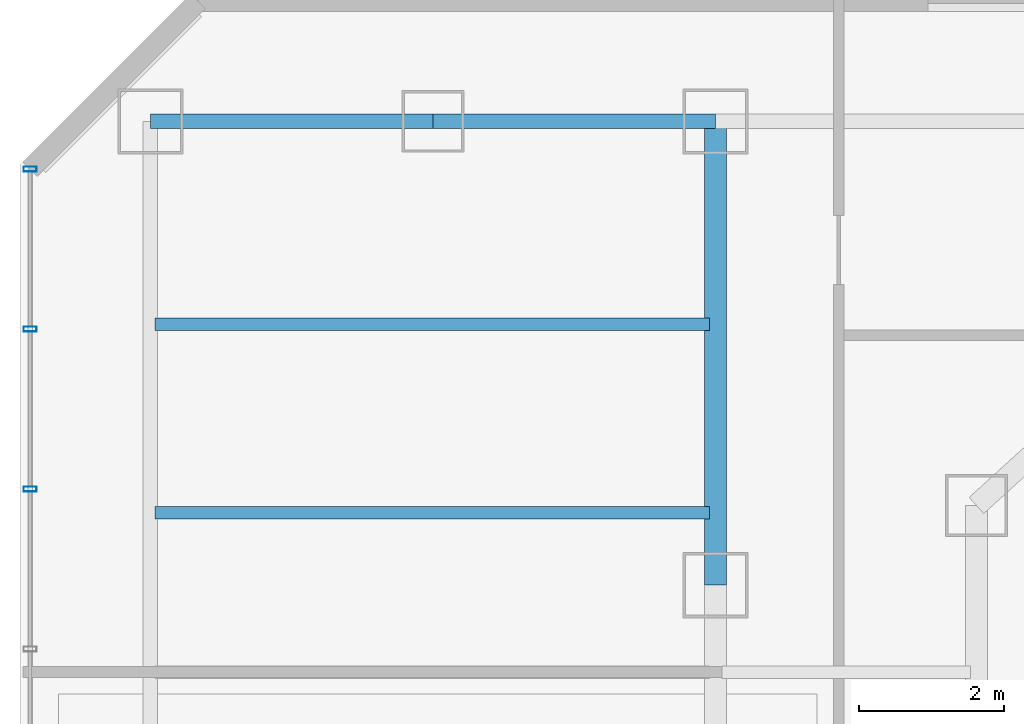
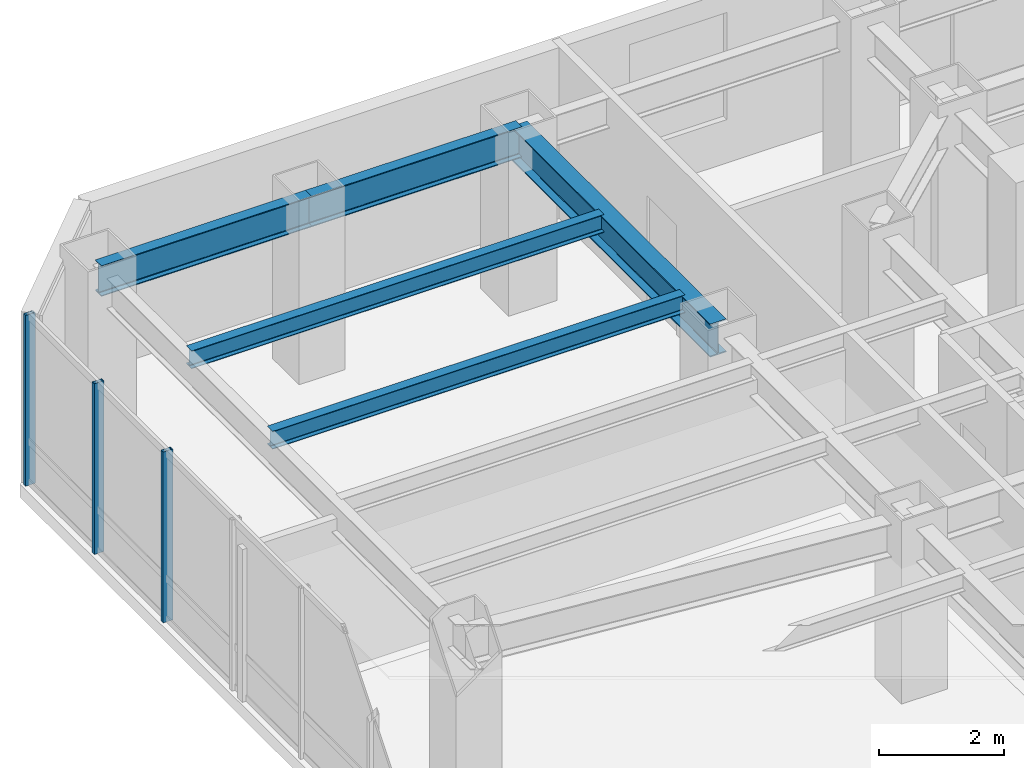
# One storey, part 17 of 29: 5 beams, 3 members, 1 element without a shape of its own.
"""IFC4 building model written with IfcOpenShell, lengths in metres."""

from ifc_helpers import new_model, si_unit, direction, frame, origin, origin_2d, place, context, subcontext, project, spatial, hollow_rectangle, i_section, extrude, material, layer, layer_set, material_profile, profile_set, type_object, element, aggregate, save


model = new_model("IFC4")

# Units and contexts
model_context = context("Model", 3, precision=1e-05, world=origin(), true_north=direction((0.0, 1.0)))
body_context = subcontext(model_context, "Body", "Model", "MODEL_VIEW")
ifc_project = project(units=[si_unit("LENGTHUNIT", "METRE"), si_unit("AREAUNIT", "SQUARE_METRE"), si_unit("VOLUMEUNIT", "CUBIC_METRE"), si_unit("PLANEANGLEUNIT", "RADIAN"), si_unit("MASSUNIT", "GRAM", prefix="KILO")], contexts=[model_context])

# Site, building, storey
site_placement = place(None, origin())
site = spatial("IfcSite", under=ifc_project, at=site_placement, CompositionType="ELEMENT")
building_placement = place(site_placement, origin())
building = spatial("IfcBuilding", under=site, at=building_placement, Name="Hatsunagi Terrace Concourse", CompositionType="ELEMENT")
storey_placement = place(building_placement, frame((0.0, 0.0, 119.25)))
storey = spatial("IfcBuildingStorey", under=building, at=storey_placement, Name="L31", CompositionType="ELEMENT", Elevation=119.25)

# Curtain wall, members
ifc_material_1 = material(Name="Anodised Aluminium Alloy 6063-T5", Category="aluminium")
ifc_layer = layer(ifc_material_1, 0.199951171875)
ifc_layer_set = layer_set([ifc_layer], Name="OfficeZone1_CW03")
curtain_wall_type = type_object("IfcCurtainWallType", Name="OfficeZone1_CW03", PredefinedType="NOTDEFINED", material=ifc_layer_set)
curtain_wall_placement = place(storey_placement, origin())
curtain_wall = element("IfcCurtainWall", 1, at=curtain_wall_placement, inside=storey, type_object=curtain_wall_type, Name="Unitised Curtain Wall CW-03 CW-L31-09", PredefinedType="NOTDEFINED")
ifc_material_2 = material(Name="Anodised Aluminium Alloy 6063-T5", Category="aluminium")
ifc_material_profile_1 = material_profile(ifc_material_2, hollow_rectangle(XDim=0.070068359375, YDim=0.179931640625, WallThickness=0.00390625, at=origin_2d()), Name="ALU-MUL-180x70x4")
ifc_profile_set_1 = profile_set([ifc_material_profile_1], Name="Anodised Aluminium Alloy 6063-T5")
member_type = type_object("IfcMemberType", Name="CurtainWallMullion_180x70", PredefinedType="MULLION", material=ifc_profile_set_1)
member_1_placement = place(storey_placement, frame((9.739990234375, 43.52490234375, 0.0), z_axis=(0.0, 0.0, 1.0), x_axis=(0.0, 1.0, 0.0)))
member_1 = element("IfcMember", 2, at=member_1_placement, type_object=member_type, Name="Curtain Wall Mullion MUL-02", PredefinedType="MULLION", context=body_context, shape_type="SweptSolid", body=[
    extrude(hollow_rectangle(XDim=0.070068359375, YDim=0.179931640625, WallThickness=0.00390625, at=origin_2d()), origin(), (0.0, 0.0, 1.0), 3.35009765625),
])
member_2_placement = place(storey_placement, frame((9.739990234375, 45.73388671875, 0.0), z_axis=(0.0, 0.0, 1.0), x_axis=(0.0, 1.0, 0.0)))
member_2 = element("IfcMember", 3, at=member_2_placement, type_object=member_type, Name="Curtain Wall Mullion MUL-02", PredefinedType="MULLION", context=body_context, shape_type="SweptSolid", body=[
    extrude(hollow_rectangle(XDim=0.070068359375, YDim=0.179931640625, WallThickness=0.00390625, at=origin_2d()), origin(), (0.0, 0.0, 1.0), 3.35009765625),
])
member_3_placement = place(storey_placement, frame((9.739990234375, 47.94189453125, 0.0), z_axis=(0.0, 0.0, 1.0), x_axis=(0.0, 1.0, 0.0)))
member_3 = element("IfcMember", 4, at=member_3_placement, type_object=member_type, Name="Curtain Wall Mullion MUL-02", PredefinedType="MULLION", context=body_context, shape_type="SweptSolid", body=[
    extrude(hollow_rectangle(XDim=0.070068359375, YDim=0.179931640625, WallThickness=0.00390625, at=origin_2d()), origin(), (0.0, 0.0, 1.0), 3.35009765625),
])
aggregate(curtain_wall, [member_1, member_2, member_3])

# Beams
ifc_material_3 = material(Name="Steel SN490B", Category="steel")
ifc_material_profile_2 = material_profile(ifc_material_3, i_section(OverallWidth=0.175048828125, OverallDepth=0.35009765625, WebThickness=0.007080078125, FlangeThickness=0.010986328125, FilletRadius=0.012939453125, at=origin_2d()), Name="H-350x175x7x11")
ifc_profile_set_2 = profile_set([ifc_material_profile_2], Name="Steel SN490B")
beam_type_1 = type_object("IfcBeamType", Name="HotelJoist_H_350x175", PredefinedType="JOIST", material=ifc_profile_set_2)
for number, where, z_axis, x_axis, name in (
    (5, (11.465087890625, 43.199951171875, 3.175048828125), (1.0, 0.0, 0.0), (0.0, 1.0, 0.0), "Beam J-02 J-L31-W-11-432"),
    (6, (11.465087890625, 45.800048828125, 3.175048828125), (1.0, 0.0, 0.0), (0.0, 1.0, 0.0), "Beam J-02 J-L31-W-11-458"),
):
    element("IfcBeam", number, at=place(storey_placement, frame(where, z_axis=z_axis, x_axis=x_axis)), inside=storey, type_object=beam_type_1, Name=name, PredefinedType="JOIST", context=body_context, shape_type="SweptSolid", body=[
        extrude(i_section(OverallWidth=0.175048828125, OverallDepth=0.35009765625, WebThickness=0.007080078125, FlangeThickness=0.010986328125, FilletRadius=0.012939453125, at=origin_2d()), origin(), (0.0, 0.0, 1.0), 7.64990234375),
    ])
ifc_material_4 = material(Name="Steel SN490B", Category="steel")
ifc_material_profile_3 = material_profile(ifc_material_4, i_section(OverallWidth=0.300048828125, OverallDepth=0.64990234375, WebThickness=0.012939453125, FlangeThickness=0.02197265625, FilletRadius=0.01806640625, at=origin_2d()), Name="H-650x300x13x22")
ifc_profile_set_3 = profile_set([ifc_material_profile_3], Name="Steel SN490B")
beam_type_2 = type_object("IfcBeamType", Name="OfficeLowGirder_H_650x300", PredefinedType="BEAM", material=ifc_profile_set_3)
beam_1_placement = place(storey_placement, frame((19.199951171875, 42.199951171875, 3.02490234375), z_axis=(0.0, 1.0, 0.0), x_axis=(-1.0, 0.0, 0.0)))
element("IfcBeam", 7, at=beam_1_placement, inside=storey, type_object=beam_type_2, Name="Beam G-05 BM-L31-NS-19-42", PredefinedType="BEAM", context=body_context, shape_type="SweptSolid", body=[
    extrude(i_section(OverallWidth=0.300048828125, OverallDepth=0.64990234375, WebThickness=0.012939453125, FlangeThickness=0.02197265625, FilletRadius=0.01806640625, at=origin_2d()), origin(), (0.0, 0.0, 1.0), 6.400146484375),
])
ifc_material_5 = material(Name="Steel SN490B", Category="steel")
ifc_material_profile_4 = material_profile(ifc_material_5, i_section(OverallWidth=0.199951171875, OverallDepth=0.60009765625, WebThickness=0.010986328125, FlangeThickness=0.01708984375, FilletRadius=0.01806640625, at=origin_2d()), Name="H-600x200x11x17")
ifc_profile_set_4 = profile_set([ifc_material_profile_4], Name="Steel SN490B")
beam_type_3 = type_object("IfcBeamType", Name="PerimeterSpandrel_H_600x200", PredefinedType="SPANDREL", material=ifc_profile_set_4)
beam_2_placement = place(storey_placement, frame((11.39990234375, 48.60009765625, 3.050048828125), z_axis=(1.0, 0.0, 0.0), x_axis=(0.0, 1.0, 0.0)))
element("IfcBeam", 8, at=beam_2_placement, inside=storey, type_object=beam_type_3, Name="Beam SP-01 BM-L31-WN-11", PredefinedType="SPANDREL", context=body_context, shape_type="SweptSolid", body=[
    extrude(i_section(OverallWidth=0.199951171875, OverallDepth=0.60009765625, WebThickness=0.010986328125, FlangeThickness=0.01708984375, FilletRadius=0.01806640625, at=origin_2d()), origin(), (0.0, 0.0, 1.0), 3.900146484375),
])
beam_3_placement = place(storey_placement, frame((15.300048828125, 48.60009765625, 3.050048828125), z_axis=(1.0, 0.0, 0.0), x_axis=(0.0, 1.0, 0.0)))
element("IfcBeam", 9, at=beam_3_placement, inside=storey, type_object=beam_type_3, Name="Beam SP-01 BM-L31-WN-15", PredefinedType="SPANDREL", context=body_context, shape_type="SweptSolid", body=[
    extrude(i_section(OverallWidth=0.199951171875, OverallDepth=0.60009765625, WebThickness=0.010986328125, FlangeThickness=0.01708984375, FilletRadius=0.01806640625, at=origin_2d()), origin(), (0.0, 0.0, 1.0), 3.89990234375),
])

save(model, "model.ifc")
